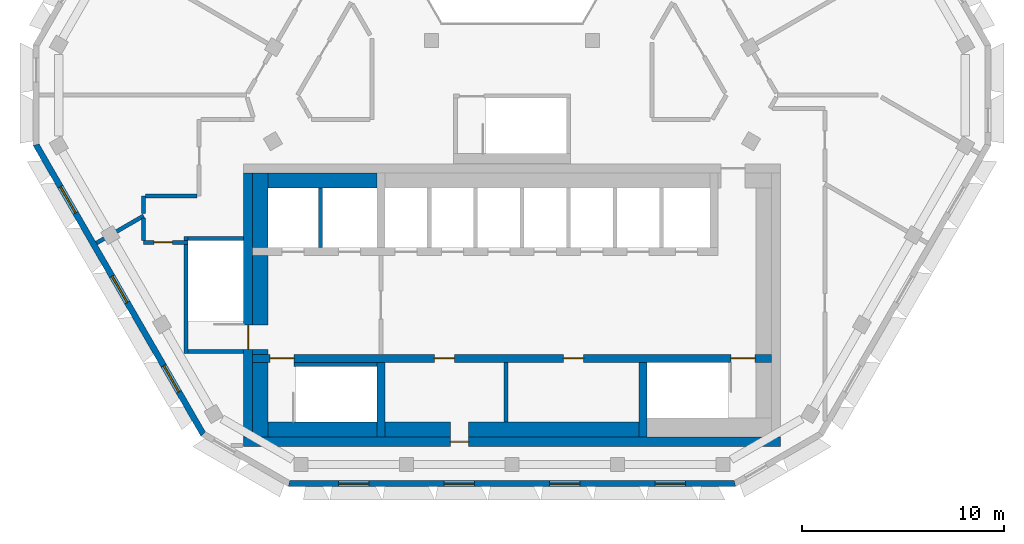
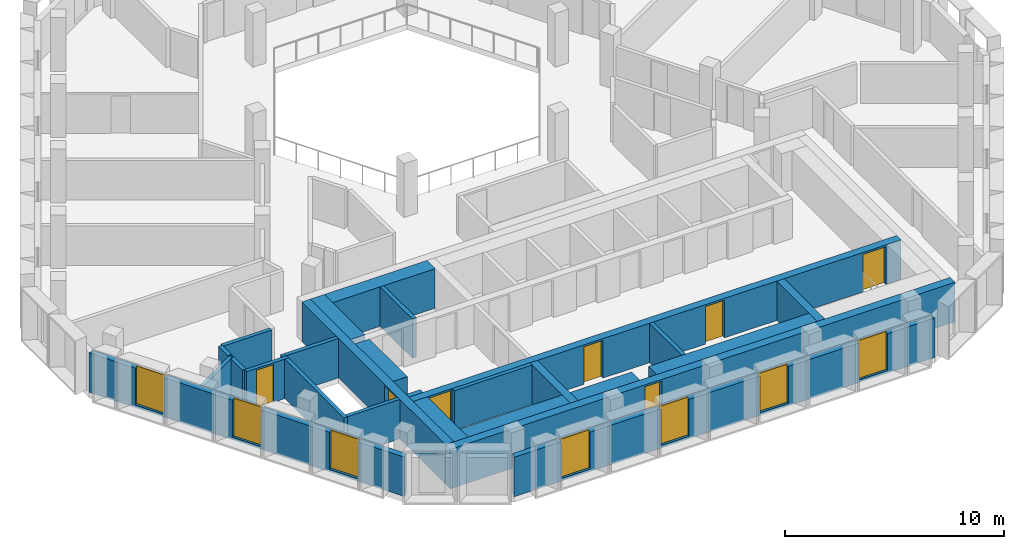
# One storey, part 2 of 7: 26 walls, 7 doors, 7 windows, 14 openings.
"""IFC4 building model written with IfcOpenShell, lengths in metres."""

from ifc_helpers import new_model, si_unit, direction, frame, frame_2d, origin, place, context, subcontext, project, spatial, polyline, rectangle, outline, extrude, material, layer, layer_set, type_object, element, fill, save


model = new_model("IFC4")

# Units and contexts
model_context = context("Model", 3, precision=1e-05, world=origin(), true_north=direction((0.0, 1.0)))
body_context = subcontext(model_context, "Body", "Model", "MODEL_VIEW")
ifc_project = project(units=[si_unit("LENGTHUNIT", "METRE"), si_unit("AREAUNIT", "SQUARE_METRE"), si_unit("VOLUMEUNIT", "CUBIC_METRE"), si_unit("PLANEANGLEUNIT", "RADIAN"), si_unit("MASSUNIT", "GRAM", prefix="KILO")], contexts=[model_context])

# Site, building, storey
site_placement = place(None, origin())
site = spatial("IfcSite", under=ifc_project, at=site_placement, CompositionType="ELEMENT")
building_placement = place(site_placement, origin())
building = spatial("IfcBuilding", under=site, at=building_placement, Name="Beryl Residences", CompositionType="ELEMENT")
storey_placement = place(building_placement, frame((0.0, 0.0, 241.800048828125)))
storey = spatial("IfcBuildingStorey", under=building, at=storey_placement, Name="L75", CompositionType="ELEMENT", Elevation=241.800048828125)

# Wall, openings, windows
ifc_material_1 = material(Name="Composite metal panel with mineral wool insulation")
ifc_layer_1 = layer(ifc_material_1, 0.300048828125)
ifc_layer_set_1 = layer_set([ifc_layer_1], Name="ES1 pale metal composite panel wall 300 mm")
wall_type_1 = type_object("IfcWallType", Name="ES1 pale metal composite panel wall 300 mm", PredefinedType="SOLIDWALL", material=ifc_layer_set_1)
wall_1_placement = place(storey_placement, frame((-23.59912109375, -4.02490234375, 0.0), z_axis=(0.0, 0.0, 1.0), x_axis=(0.500012653391, -0.866018098222, 0.0)))
wall_1 = element("IfcWall", 1, at=wall_1_placement, inside=storey, type_object=wall_type_1, Name="ES1 external wall L75 SW", PredefinedType="SOLIDWALL", context=body_context, shape_type="SweptSolid", body=[
    extrude(outline(polyline([(0.0, -0.14990234375), (16.6279296875, -0.14990234375), (16.547607421875, 0.14990234375), (0.080322265625, 0.14990234375), (0.0, -0.14990234375)])), origin(), (0.0, 0.0, 1.0), 2.199951171875),
])
opening_1_placement = place(wall_1_placement, frame((2.444091796875, 0.0, 0.14990234375)))
opening_1 = element("IfcOpeningElement", 2, at=opening_1_placement, cuts=wall_1, Name="Opening W1", PredefinedType="OPENING", context=body_context, shape_type="SweptSolid", body=[
    extrude(rectangle(XDim=1.5, YDim=2.10009765625, at=frame_2d((0.75, 1.050048828125))), frame((0.0, 0.159912109375, 0.0), z_axis=(0.0, -1.0, 0.0), x_axis=(1.0, 0.0, 0.0)), (0.0, 0.0, 1.0), 0.320068359375),
])
opening_2_placement = place(wall_1_placement, frame((7.56396484375, 0.0, 0.14990234375)))
opening_2 = element("IfcOpeningElement", 3, at=opening_2_placement, cuts=wall_1, Name="Opening W1", PredefinedType="OPENING", context=body_context, shape_type="SweptSolid", body=[
    extrude(rectangle(XDim=1.5, YDim=2.10009765625, at=frame_2d((0.75, 1.050048828125))), frame((0.0, 0.159912109375, 0.0), z_axis=(0.0, -1.0, 0.0), x_axis=(1.0, 0.0, 0.0)), (0.0, 0.0, 1.0), 0.320068359375),
])
opening_3_placement = place(wall_1_placement, frame((12.681884765625, 0.0, 0.14990234375)))
opening_3 = element("IfcOpeningElement", 4, at=opening_3_placement, cuts=wall_1, Name="Opening W1", PredefinedType="OPENING", context=body_context, shape_type="SweptSolid", body=[
    extrude(rectangle(XDim=1.5, YDim=2.10009765625, at=frame_2d((0.75, 1.050048828125))), frame((0.0, 0.159912109375, 0.0), z_axis=(0.0, -1.0, 0.0), x_axis=(1.0, 0.0, 0.0)), (0.0, 0.0, 1.0), 0.320068359375),
])
ifc_material_2 = material(Name="Aluminium and clear glass", Category="aluminium")
window_type = type_object("IfcWindowType", Name="W1 cell window 1500 x 2100 mm", PartitioningType="SINGLE_PANEL", PredefinedType="WINDOW", material=ifc_material_2)
window_1_placement = place(opening_1_placement, origin())
window_1 = element("IfcWindow", 5, at=window_1_placement, inside=storey, type_object=window_type, Name="W1 window L75 SW 2", OverallHeight=2.10009765625, OverallWidth=1.5, PartitioningType="SINGLE_PANEL", PredefinedType="WINDOW", context=body_context, shape_type="SweptSolid", body=[
    extrude(rectangle(XDim=1.5, YDim=2.10009765625, at=frame_2d((0.75, 1.050048828125))), frame((0.0, 0.030029296875, 0.0), z_axis=(0.0, -1.0, 0.0), x_axis=(1.0, 0.0, 0.0)), (0.0, 0.0, 1.0), 0.06005859375),
])
fill(opening_1, window_1)
window_2_placement = place(opening_2_placement, origin())
window_2 = element("IfcWindow", 6, at=window_2_placement, inside=storey, type_object=window_type, Name="W1 window L75 SW 4", OverallHeight=2.10009765625, OverallWidth=1.5, PartitioningType="SINGLE_PANEL", PredefinedType="WINDOW", context=body_context, shape_type="SweptSolid", body=[
    extrude(rectangle(XDim=1.5, YDim=2.10009765625, at=frame_2d((0.75, 1.050048828125))), frame((0.0, 0.030029296875, 0.0), z_axis=(0.0, -1.0, 0.0), x_axis=(1.0, 0.0, 0.0)), (0.0, 0.0, 1.0), 0.06005859375),
])
fill(opening_2, window_2)
window_3_placement = place(opening_3_placement, origin())
window_3 = element("IfcWindow", 7, at=window_3_placement, inside=storey, type_object=window_type, Name="W1 window L75 SW 6", OverallHeight=2.10009765625, OverallWidth=1.5, PartitioningType="SINGLE_PANEL", PredefinedType="WINDOW", context=body_context, shape_type="SweptSolid", body=[
    extrude(rectangle(XDim=1.5, YDim=2.10009765625, at=frame_2d((0.75, 1.050048828125))), frame((0.0, 0.030029296875, 0.0), z_axis=(0.0, -1.0, 0.0), x_axis=(1.0, 0.0, 0.0)), (0.0, 0.0, 1.0), 0.06005859375),
])
fill(opening_3, window_3)

wall_2_placement = place(storey_placement, frame((-11.0849609375, -20.85009765625, 0.0), z_axis=(0.0, 0.0, 1.0), x_axis=(1.0, 0.0, 0.0)))
wall_2 = element("IfcWall", 8, at=wall_2_placement, inside=storey, type_object=wall_type_1, Name="ES1 external wall L75 S", PredefinedType="SOLIDWALL", context=body_context, shape_type="SweptSolid", body=[
    extrude(outline(polyline([(0.0, -0.14990234375), (22.169921875, -0.14990234375), (22.089599609375, 0.14990234375), (0.080322265625, 0.14990234375), (0.0, -0.14990234375)])), origin(), (0.0, 0.0, 1.0), 2.199951171875),
])
opening_4_placement = place(wall_2_placement, frame((2.498046875, 0.0, 0.14990234375)))
opening_4 = element("IfcOpeningElement", 9, at=opening_4_placement, cuts=wall_2, Name="Opening W1", PredefinedType="OPENING", context=body_context, shape_type="SweptSolid", body=[
    extrude(rectangle(XDim=1.5, YDim=2.10009765625, at=frame_2d((0.75, 1.050048828125))), frame((0.0, 0.159912109375, 0.0), z_axis=(0.0, -1.0, 0.0), x_axis=(1.0, 0.0, 0.0)), (0.0, 0.0, 1.0), 0.320068359375),
])
opening_5_placement = place(wall_2_placement, frame((7.722900390625, 0.0, 0.14990234375)))
opening_5 = element("IfcOpeningElement", 10, at=opening_5_placement, cuts=wall_2, Name="Opening W1", PredefinedType="OPENING", context=body_context, shape_type="SweptSolid", body=[
    extrude(rectangle(XDim=1.5, YDim=2.10009765625, at=frame_2d((0.75, 1.050048828125))), frame((0.0, 0.159912109375, 0.0), z_axis=(0.0, -1.0, 0.0), x_axis=(1.0, 0.0, 0.0)), (0.0, 0.0, 1.0), 0.320068359375),
])
opening_6_placement = place(wall_2_placement, frame((12.947021484375, 0.0, 0.14990234375)))
opening_6 = element("IfcOpeningElement", 11, at=opening_6_placement, cuts=wall_2, Name="Opening W1", PredefinedType="OPENING", context=body_context, shape_type="SweptSolid", body=[
    extrude(rectangle(XDim=1.5, YDim=2.10009765625, at=frame_2d((0.75, 1.050048828125))), frame((0.0, 0.159912109375, 0.0), z_axis=(0.0, -1.0, 0.0), x_axis=(1.0, 0.0, 0.0)), (0.0, 0.0, 1.0), 0.320068359375),
])
opening_7_placement = place(wall_2_placement, frame((18.172119140625, 0.0, 0.14990234375)))
opening_7 = element("IfcOpeningElement", 12, at=opening_7_placement, cuts=wall_2, Name="Opening W1", PredefinedType="OPENING", context=body_context, shape_type="SweptSolid", body=[
    extrude(rectangle(XDim=1.5, YDim=2.10009765625, at=frame_2d((0.75, 1.050048828125))), frame((0.0, 0.159912109375, 0.0), z_axis=(0.0, -1.0, 0.0), x_axis=(1.0, 0.0, 0.0)), (0.0, 0.0, 1.0), 0.320068359375),
])
window_4_placement = place(opening_4_placement, origin())
window_4 = element("IfcWindow", 13, at=window_4_placement, inside=storey, type_object=window_type, Name="W1 window L75 S 2", OverallHeight=2.10009765625, OverallWidth=1.5, PartitioningType="SINGLE_PANEL", PredefinedType="WINDOW", context=body_context, shape_type="SweptSolid", body=[
    extrude(rectangle(XDim=1.5, YDim=2.10009765625, at=frame_2d((0.75, 1.050048828125))), frame((0.0, 0.030029296875, 0.0), z_axis=(0.0, -1.0, 0.0), x_axis=(1.0, 0.0, 0.0)), (0.0, 0.0, 1.0), 0.06005859375),
])
fill(opening_4, window_4)
window_5_placement = place(opening_5_placement, origin())
window_5 = element("IfcWindow", 14, at=window_5_placement, inside=storey, type_object=window_type, Name="W1 window L75 S 4", OverallHeight=2.10009765625, OverallWidth=1.5, PartitioningType="SINGLE_PANEL", PredefinedType="WINDOW", context=body_context, shape_type="SweptSolid", body=[
    extrude(rectangle(XDim=1.5, YDim=2.10009765625, at=frame_2d((0.75, 1.050048828125))), frame((0.0, 0.030029296875, 0.0), z_axis=(0.0, -1.0, 0.0), x_axis=(1.0, 0.0, 0.0)), (0.0, 0.0, 1.0), 0.06005859375),
])
fill(opening_5, window_5)
window_6_placement = place(opening_6_placement, origin())
window_6 = element("IfcWindow", 15, at=window_6_placement, inside=storey, type_object=window_type, Name="W1 window L75 S 6", OverallHeight=2.10009765625, OverallWidth=1.5, PartitioningType="SINGLE_PANEL", PredefinedType="WINDOW", context=body_context, shape_type="SweptSolid", body=[
    extrude(rectangle(XDim=1.5, YDim=2.10009765625, at=frame_2d((0.75, 1.050048828125))), frame((0.0, 0.030029296875, 0.0), z_axis=(0.0, -1.0, 0.0), x_axis=(1.0, 0.0, 0.0)), (0.0, 0.0, 1.0), 0.06005859375),
])
fill(opening_6, window_6)
window_7_placement = place(opening_7_placement, origin())
window_7 = element("IfcWindow", 16, at=window_7_placement, inside=storey, type_object=window_type, Name="W1 window L75 S 8", OverallHeight=2.10009765625, OverallWidth=1.5, PartitioningType="SINGLE_PANEL", PredefinedType="WINDOW", context=body_context, shape_type="SweptSolid", body=[
    extrude(rectangle(XDim=1.5, YDim=2.10009765625, at=frame_2d((0.75, 1.050048828125))), frame((0.0, 0.030029296875, 0.0), z_axis=(0.0, -1.0, 0.0), x_axis=(1.0, 0.0, 0.0)), (0.0, 0.0, 1.0), 0.06005859375),
])
fill(opening_7, window_7)

# Walls
ifc_material_3 = material(Name="Concrete masonry", Category="masonry")
ifc_layer_2 = layer(ifc_material_3, 0.25)
ifc_layer_set_2 = layer_set([ifc_layer_2], Name="PT13-250 lobby wall 250 mm")
wall_type_2 = type_object("IfcWallType", Name="PT13-250 lobby wall 250 mm", PredefinedType="PARTITIONING", material=ifc_layer_set_2)
wall_3_placement = place(storey_placement, frame((-12.85009765625, -14.324951171875, 0.0), z_axis=(0.0, 0.0, 1.0), x_axis=(1.0, 0.0, 0.0)))
element("IfcWall", 17, at=wall_3_placement, inside=storey, type_object=wall_type_2, Name="Lobby wall 05", PredefinedType="PARTITIONING", context=body_context, shape_type="SweptSolid", body=[
    extrude(rectangle(XDim=0.75, YDim=0.25, at=frame_2d((0.375, 0.0))), origin(), (0.0, 0.0, 1.0), 2.199951171875),
])
ifc_material_4 = material(Name="Concrete masonry", Category="masonry")
ifc_layer_3 = layer(ifc_material_4, 0.75)
ifc_layer_set_3 = layer_set([ifc_layer_3], Name="PT13-750 lobby wall 750 mm")
wall_type_3 = type_object("IfcWallType", Name="PT13-750 lobby wall 750 mm", PredefinedType="PARTITIONING", material=ifc_layer_set_3)
wall_4_placement = place(storey_placement, frame((-12.47509765625, -13.0, 0.0), z_axis=(0.0, 0.0, 1.0), x_axis=(0.0, 1.0, 0.0)))
element("IfcWall", 18, at=wall_4_placement, inside=storey, type_object=wall_type_3, Name="Lobby wall 06", PredefinedType="PARTITIONING", context=body_context, shape_type="SweptSolid", body=[
    extrude(rectangle(XDim=3.449951171875, YDim=0.75, at=frame_2d((1.72509765625, 0.0))), origin(), (0.0, 0.0, 1.0), 2.199951171875),
])
ifc_material_5 = material(Name="Acoustic double stud gypsum board wall")
ifc_layer_4 = layer(ifc_material_5, 0.199951171875)
ifc_layer_set_4 = layer_set([ifc_layer_4], Name="PT3 party wall 200 mm acoustic double stud")
wall_type_4 = type_object("IfcWallType", Name="PT3 party wall 200 mm acoustic double stud", PredefinedType="PARTITIONING", material=ifc_layer_set_4)
wall_5_placement = place(storey_placement, frame((-20.592041015625, -8.93310546875, 0.0), z_axis=(0.0, 0.0, 1.0), x_axis=(0.866045775131, 0.499964714133, 0.0)))
element("IfcWall", 19, at=wall_5_placement, inside=storey, type_object=wall_type_4, Name="Wall PT3 L75 017", PredefinedType="PARTITIONING", context=body_context, shape_type="SweptSolid", body=[
    extrude(rectangle(XDim=2.704345703125, YDim=0.199951171875, at=frame_2d((1.35205078125, 0.0))), origin(), (0.0, 0.0, 1.0), 2.199951171875),
])
ifc_material_6 = material(Name="Double stud gypsum board wall")
ifc_layer_5 = layer(ifc_material_6, 0.199951171875)
ifc_layer_set_5 = layer_set([ifc_layer_5], Name="PT4 corridor wall 200 mm double stud")
wall_type_5 = type_object("IfcWallType", Name="PT4 corridor wall 200 mm double stud", PredefinedType="PARTITIONING", material=ifc_layer_set_5)
wall_6_placement = place(storey_placement, frame((-18.25, -7.696044921875, 0.0), z_axis=(0.0, 0.0, 1.0), x_axis=(0.0, -1.0, 0.0)))
element("IfcWall", 20, at=wall_6_placement, inside=storey, type_object=wall_type_5, Name="Wall PT4 L75 009", PredefinedType="PARTITIONING", context=body_context, shape_type="SweptSolid", body=[
    extrude(rectangle(XDim=1.10302734375, YDim=0.199951171875, at=frame_2d((0.551513671875, 0.0))), origin(), (0.0, 0.0, 1.0), 2.199951171875),
])
wall_7_placement = place(storey_placement, frame((-18.14892578125, -6.60009765625, 0.0), z_axis=(0.0, 0.0, 1.0), x_axis=(1.0, 0.0, 0.0)))
element("IfcWall", 21, at=wall_7_placement, inside=storey, type_object=wall_type_5, Name="Wall PT4 L75 012", PredefinedType="PARTITIONING", context=body_context, shape_type="SweptSolid", body=[
    extrude(rectangle(XDim=2.5478515625, YDim=0.199951171875, at=frame_2d((1.27392578125, 0.0))), origin(), (0.0, 0.0, 1.0), 2.199951171875),
])

# Wall, opening, door
wall_8_placement = place(storey_placement, frame((-18.2490234375, -8.89990234375, 0.0), z_axis=(0.0, 0.0, 1.0), x_axis=(1.0, 0.0, 0.0)))
wall_8 = element("IfcWall", 22, at=wall_8_placement, inside=storey, type_object=wall_type_5, Name="Wall PT4 L75 013", PredefinedType="PARTITIONING", context=body_context, shape_type="SweptSolid", body=[
    extrude(rectangle(XDim=2.198974609375, YDim=0.199951171875, at=frame_2d((1.099609375, 0.0))), origin(), (0.0, 0.0, 1.0), 2.199951171875),
])
opening_8_placement = place(wall_8_placement, frame((0.51904296875, 0.0, 0.0)))
opening_8 = element("IfcOpeningElement", 23, at=opening_8_placement, cuts=wall_8, Name="Opening D2307", PredefinedType="OPENING", context=body_context, shape_type="SweptSolid", body=[
    extrude(rectangle(XDim=0.89990234375, YDim=2.10009765625, at=frame_2d((0.449951171875, 1.050048828125))), frame((0.0, 0.10986328125, 0.0), z_axis=(0.0, -1.0, 0.0), x_axis=(1.0, 0.0, 0.0)), (0.0, 0.0, 1.0), 0.219970703125),
])
ifc_material_7 = material(Name="Timber door leaf", Category="wood")
door_type_1 = type_object("IfcDoorType", Name="D2 room door 900 x 2100 mm", OperationType="SINGLE_SWING_LEFT", PredefinedType="DOOR", material=ifc_material_7)
door_1_placement = place(opening_8_placement, origin())
door_1 = element("IfcDoor", 24, at=door_1_placement, inside=storey, type_object=door_type_1, Name="Door D2307 L75 001", OperationType="SINGLE_SWING_LEFT", OverallHeight=2.10009765625, OverallWidth=0.89990234375, PredefinedType="DOOR", context=body_context, shape_type="SweptSolid", body=[
    extrude(rectangle(XDim=0.89990234375, YDim=2.10009765625, at=frame_2d((0.449951171875, 1.050048828125))), frame((0.0, 0.02490234375, 0.0), z_axis=(0.0, -1.0, 0.0), x_axis=(1.0, 0.0, 0.0)), (0.0, 0.0, 1.0), 0.050048828125),
])
fill(opening_8, door_1)

# Walls
wall_9_placement = place(storey_placement, frame((-18.25, -7.465087890625, 0.0), z_axis=(0.0, 0.0, 1.0), x_axis=(0.0, 1.0, 0.0)))
element("IfcWall", 25, at=wall_9_placement, inside=storey, type_object=wall_type_5, Name="Wall PT4 L75 031", PredefinedType="PARTITIONING", context=body_context, shape_type="SweptSolid", body=[
    extrude(rectangle(XDim=0.864013671875, YDim=0.199951171875, at=frame_2d((0.43212890625, 0.0))), origin(), (0.0, 0.0, 1.0), 2.199951171875),
])
ifc_material_8 = material(Name="Concrete C40/50", Category="concrete")
ifc_layer_6 = layer(ifc_material_8, 0.199951171875)
ifc_layer_set_6 = layer_set([ifc_layer_6], Name="PT5 stair enclosure wall 200 mm reinforced concrete C40/50")
wall_type_6 = type_object("IfcWallType", Name="PT5 stair enclosure wall 200 mm reinforced concrete C40/50", PredefinedType="SOLIDWALL", material=ifc_layer_set_6)
wall_10_placement = place(storey_placement, frame((-16.14990234375, -14.39990234375, 0.0), z_axis=(0.0, 0.0, 1.0), x_axis=(0.0, 1.0, 0.0)))
element("IfcWall", 26, at=wall_10_placement, inside=storey, type_object=wall_type_6, Name="Stair wall 01", PredefinedType="SOLIDWALL", context=body_context, shape_type="SweptSolid", body=[
    extrude(rectangle(XDim=5.7998046875, YDim=0.199951171875, at=frame_2d((2.89990234375, 0.0))), origin(), (0.0, 0.0, 1.0), 2.199951171875),
])
for number, where, z_axis, x_axis, name in (
    (27, (-16.050048828125, -14.300048828125, 0.0), (0.0, 0.0, 1.0), (1.0, 0.0, 0.0), "Stair wall 02"),
    (28, (-16.050048828125, -8.699951171875, 0.0), (0.0, 0.0, 1.0), (1.0, 0.0, 0.0), "Stair wall 03"),
):
    element("IfcWall", number, at=place(storey_placement, frame(where, z_axis=z_axis, x_axis=x_axis)), inside=storey, type_object=wall_type_6, Name=name, PredefinedType="SOLIDWALL", context=body_context, shape_type="SweptSolid", body=[
        extrude(rectangle(XDim=2.75, YDim=0.199951171875, at=frame_2d((1.375, 0.0))), origin(), (0.0, 0.0, 1.0), 2.199951171875),
    ])
wall_11_placement = place(storey_placement, frame((-10.800048828125, -14.949951171875, 0.0), z_axis=(0.0, 0.0, 1.0), x_axis=(1.0, 0.0, 0.0)))
element("IfcWall", 29, at=wall_11_placement, inside=storey, type_object=wall_type_6, Name="Stair wall 10", PredefinedType="SOLIDWALL", context=body_context, shape_type="SweptSolid", body=[
    extrude(rectangle(XDim=4.10009765625, YDim=0.199951171875, at=frame_2d((2.050048828125, 0.0))), origin(), (0.0, 0.0, 1.0), 2.199951171875),
])
ifc_material_9 = material(Name="Concrete C40/50", Category="concrete")
ifc_layer_7 = layer(ifc_material_9, 0.75)
ifc_layer_set_7 = layer_set([ifc_layer_7], Name="PT5-750 stair enclosure wall 750 mm")
wall_type_7 = type_object("IfcWallType", Name="PT5-750 stair enclosure wall 750 mm", PredefinedType="SOLIDWALL", material=ifc_layer_set_7)
wall_12_placement = place(storey_placement, frame((-12.47509765625, -18.550048828125, 0.0), z_axis=(0.0, 0.0, 1.0), x_axis=(0.0, 1.0, 0.0)))
element("IfcWall", 30, at=wall_12_placement, inside=storey, type_object=wall_type_7, Name="Stair wall 04", PredefinedType="SOLIDWALL", context=body_context, shape_type="SweptSolid", body=[
    extrude(rectangle(XDim=3.699951171875, YDim=0.75, at=frame_2d((1.85009765625, 0.0))), origin(), (0.0, 0.0, 1.0), 2.199951171875),
])
wall_13_placement = place(storey_placement, frame((-12.10009765625, -18.175048828125, 0.0), z_axis=(0.0, 0.0, 1.0), x_axis=(1.0, 0.0, 0.0)))
element("IfcWall", 31, at=wall_13_placement, inside=storey, type_object=wall_type_7, Name="Stair wall 08", PredefinedType="SOLIDWALL", context=body_context, shape_type="SweptSolid", body=[
    extrude(rectangle(XDim=5.400146484375, YDim=0.75, at=frame_2d((2.7001953125, 0.0))), origin(), (0.0, 0.0, 1.0), 2.199951171875),
])
ifc_material_10 = material(Name="Concrete C40/50", Category="concrete")
ifc_layer_8 = layer(ifc_material_10, 0.199951171875)
ifc_layer_set_8 = layer_set([ifc_layer_8], Name="PT6 lift shaft wall 200 mm reinforced concrete C40/50")
wall_type_8 = type_object("IfcWallType", Name="PT6 lift shaft wall 200 mm reinforced concrete C40/50", PredefinedType="SOLIDWALL", material=ifc_layer_set_8)
wall_14_placement = place(storey_placement, frame((-9.5, -9.14990234375, 0.0), z_axis=(0.0, 0.0, 1.0), x_axis=(0.0, 1.0, 0.0)))
element("IfcWall", 32, at=wall_14_placement, inside=storey, type_object=wall_type_8, Name="Lift shaft wall 11", PredefinedType="SOLIDWALL", context=body_context, shape_type="SweptSolid", body=[
    extrude(rectangle(XDim=2.949951171875, YDim=0.199951171875, at=frame_2d((1.47509765625, 0.0))), origin(), (0.0, 0.0, 1.0), 2.199951171875),
])
ifc_material_11 = material(Name="Concrete C40/50", Category="concrete")
ifc_layer_9 = layer(ifc_material_11, 0.75)
ifc_layer_set_9 = layer_set([ifc_layer_9], Name="PT6-750 lift shaft wall 750 mm")
wall_type_9 = type_object("IfcWallType", Name="PT6-750 lift shaft wall 750 mm", PredefinedType="SOLIDWALL", material=ifc_layer_set_9)
wall_15_placement = place(storey_placement, frame((-12.47509765625, -9.14990234375, 0.0), z_axis=(0.0, 0.0, 1.0), x_axis=(0.0, 1.0, 0.0)))
element("IfcWall", 33, at=wall_15_placement, inside=storey, type_object=wall_type_9, Name="Lift shaft wall 07", PredefinedType="SOLIDWALL", context=body_context, shape_type="SweptSolid", body=[
    extrude(rectangle(XDim=3.699951171875, YDim=0.75, at=frame_2d((1.85009765625, 0.0))), origin(), (0.0, 0.0, 1.0), 2.199951171875),
])
wall_16_placement = place(storey_placement, frame((-12.10009765625, -5.824951171875, 0.0), z_axis=(0.0, 0.0, 1.0), x_axis=(1.0, 0.0, 0.0)))
element("IfcWall", 34, at=wall_16_placement, inside=storey, type_object=wall_type_9, Name="Lift shaft wall 09", PredefinedType="SOLIDWALL", context=body_context, shape_type="SweptSolid", body=[
    extrude(rectangle(XDim=5.400146484375, YDim=0.75, at=frame_2d((2.7001953125, 0.0))), origin(), (0.0, 0.0, 1.0), 2.199951171875),
])
ifc_material_12 = material(Name="Concrete masonry", Category="masonry")
ifc_layer_10 = layer(ifc_material_12, 0.199951171875)
ifc_layer_set_10 = layer_set([ifc_layer_10], Name="PT8-200 service room wall 200 mm")
wall_type_10 = type_object("IfcWallType", Name="PT8-200 service room wall 200 mm", PredefinedType="PARTITIONING", material=ifc_layer_set_10)
wall_17_placement = place(storey_placement, frame((-0.300048828125, -17.800048828125, 0.0), z_axis=(0.0, 0.0, 1.0), x_axis=(0.0, 1.0, 0.0)))
element("IfcWall", 35, at=wall_17_placement, inside=storey, type_object=wall_type_10, Name="Core room wall 18", PredefinedType="PARTITIONING", context=body_context, shape_type="SweptSolid", body=[
    extrude(rectangle(XDim=2.949951171875, YDim=0.199951171875, at=frame_2d((1.47509765625, 0.0))), origin(), (0.0, 0.0, 1.0), 2.199951171875),
])
ifc_material_13 = material(Name="Concrete masonry", Category="masonry")
ifc_layer_11 = layer(ifc_material_13, 0.75)
ifc_layer_set_11 = layer_set([ifc_layer_11], Name="PT8-750 service room wall 750 mm")
wall_type_11 = type_object("IfcWallType", Name="PT8-750 service room wall 750 mm", PredefinedType="PARTITIONING", material=ifc_layer_set_11)
wall_18_placement = place(storey_placement, frame((-6.300048828125, -18.175048828125, 0.0), z_axis=(0.0, 0.0, 1.0), x_axis=(1.0, 0.0, 0.0)))
element("IfcWall", 36, at=wall_18_placement, inside=storey, type_object=wall_type_11, Name="Core room wall 13", PredefinedType="PARTITIONING", context=body_context, shape_type="SweptSolid", body=[
    extrude(rectangle(XDim=3.25, YDim=0.75, at=frame_2d((1.625, 0.0))), origin(), (0.0, 0.0, 1.0), 2.199951171875),
])
wall_19_placement = place(storey_placement, frame((-2.14990234375, -18.175048828125, 0.0), z_axis=(0.0, 0.0, 1.0), x_axis=(1.0, 0.0, 0.0)))
element("IfcWall", 37, at=wall_19_placement, inside=storey, type_object=wall_type_11, Name="Core room wall 16", PredefinedType="PARTITIONING", context=body_context, shape_type="SweptSolid", body=[
    extrude(rectangle(XDim=8.449951171875, YDim=0.75, at=frame_2d((4.22509765625, 0.0))), origin(), (0.0, 0.0, 1.0), 2.199951171875),
])

# Wall, openings, doors
ifc_material_14 = material(Name="Concrete C50/60", Category="concrete")
ifc_layer_12 = layer(ifc_material_14, 0.39990234375)
ifc_layer_set_12 = layer_set([ifc_layer_12], Name="SW10 core internal wall 400 mm C50/60")
wall_type_12 = type_object("IfcWallType", Name="SW10 core internal wall 400 mm C50/60", PredefinedType="SHEAR", material=ifc_layer_set_12)
wall_20_placement = place(storey_placement, frame((-12.85009765625, -14.64990234375, 0.0), z_axis=(0.0, 0.0, 1.0), x_axis=(1.0, 0.0, 0.0)))
wall_20 = element("IfcWall", 38, at=wall_20_placement, inside=storey, type_object=wall_type_12, Name="Core wall SP1 L75", PredefinedType="SHEAR", context=body_context, shape_type="SweptSolid", body=[
    extrude(rectangle(XDim=25.7001953125, YDim=0.39990234375, at=frame_2d((12.85009765625, 0.0))), origin(), (0.0, 0.0, 1.0), 2.199951171875),
])
opening_9_placement = place(wall_20_placement, frame((2.050048828125, 0.0, 0.0), z_axis=(0.0, 0.0, 1.0), x_axis=(-1.0, 0.0, 0.0)))
opening_9 = element("IfcOpeningElement", 39, at=opening_9_placement, cuts=wall_20, Name="Opening SD-1", PredefinedType="OPENING", context=body_context, shape_type="SweptSolid", body=[
    extrude(rectangle(XDim=1.199951171875, YDim=2.10009765625, at=frame_2d((0.60009765625, 1.050048828125))), frame((0.0, 0.2099609375, 0.0), z_axis=(0.0, -1.0, 0.0), x_axis=(1.0, 0.0, 0.0)), (0.0, 0.0, 1.0), 0.419921875),
])
opening_10_placement = place(wall_20_placement, frame((24.89990234375, 0.0, 0.0), z_axis=(0.0, 0.0, 1.0), x_axis=(-1.0, 0.0, 0.0)))
opening_10 = element("IfcOpeningElement", 40, at=opening_10_placement, cuts=wall_20, Name="Opening SD-3", PredefinedType="OPENING", context=body_context, shape_type="SweptSolid", body=[
    extrude(rectangle(XDim=1.199951171875, YDim=2.10009765625, at=frame_2d((0.60009765625, 1.050048828125))), frame((0.0, 0.2099609375, 0.0), z_axis=(0.0, -1.0, 0.0), x_axis=(1.0, 0.0, 0.0)), (0.0, 0.0, 1.0), 0.419921875),
])
opening_11_placement = place(wall_20_placement, frame((10.0, 0.0, 0.0), z_axis=(0.0, 0.0, 1.0), x_axis=(-1.0, 0.0, 0.0)))
opening_11 = element("IfcOpeningElement", 41, at=opening_11_placement, cuts=wall_20, Name="Opening CD-D-S1", PredefinedType="OPENING", context=body_context, shape_type="SweptSolid", body=[
    extrude(rectangle(XDim=1.0, YDim=2.10009765625, at=frame_2d((0.5, 1.050048828125))), frame((0.0, 0.2099609375, 0.0), z_axis=(0.0, -1.0, 0.0), x_axis=(1.0, 0.0, 0.0)), (0.0, 0.0, 1.0), 0.419921875),
])
opening_12_placement = place(wall_20_placement, frame((16.39990234375, 0.0, 0.0), z_axis=(0.0, 0.0, 1.0), x_axis=(-1.0, 0.0, 0.0)))
opening_12 = element("IfcOpeningElement", 42, at=opening_12_placement, cuts=wall_20, Name="Opening CD-D-S2", PredefinedType="OPENING", context=body_context, shape_type="SweptSolid", body=[
    extrude(rectangle(XDim=1.0, YDim=2.10009765625, at=frame_2d((0.5, 1.050048828125))), frame((0.0, 0.2099609375, 0.0), z_axis=(0.0, -1.0, 0.0), x_axis=(1.0, 0.0, 0.0)), (0.0, 0.0, 1.0), 0.419921875),
])
ifc_material_15 = material(Name="Steel door leaf in steel frame", Category="steel")
door_type_2 = type_object("IfcDoorType", Name="D18 service room door 1000 x 2100 mm", OperationType="SINGLE_SWING_LEFT", PredefinedType="DOOR", material=ifc_material_15)
door_2_placement = place(opening_11_placement, origin())
door_2 = element("IfcDoor", 43, at=door_2_placement, inside=storey, type_object=door_type_2, Name="Door CD-D-S1 L75 001", OperationType="SINGLE_SWING_RIGHT", OverallHeight=2.10009765625, OverallWidth=1.0, PredefinedType="DOOR", context=body_context, shape_type="SweptSolid", body=[
    extrude(rectangle(XDim=1.0, YDim=2.10009765625, at=frame_2d((0.5, 1.050048828125))), frame((0.0, 0.02490234375, 0.0), z_axis=(0.0, -1.0, 0.0), x_axis=(1.0, 0.0, 0.0)), (0.0, 0.0, 1.0), 0.050048828125),
])
fill(opening_11, door_2)
door_3_placement = place(opening_12_placement, origin())
door_3 = element("IfcDoor", 44, at=door_3_placement, inside=storey, type_object=door_type_2, Name="Door CD-D-S2 L75 001", OperationType="SINGLE_SWING_LEFT", OverallHeight=2.10009765625, OverallWidth=1.0, PredefinedType="DOOR", context=body_context, shape_type="SweptSolid", body=[
    extrude(rectangle(XDim=1.0, YDim=2.10009765625, at=frame_2d((0.5, 1.050048828125))), frame((0.0, 0.02490234375, 0.0), z_axis=(0.0, -1.0, 0.0), x_axis=(1.0, 0.0, 0.0)), (0.0, 0.0, 1.0), 0.050048828125),
])
fill(opening_12, door_3)
ifc_material_16 = material(Name="Steel door leaf in steel frame", Category="steel")
door_type_3 = type_object("IfcDoorType", Name="D4 stair door 1200 x 2100 mm", OperationType="SINGLE_SWING_LEFT", PredefinedType="DOOR", material=ifc_material_16)
door_4_placement = place(opening_9_placement, origin())
door_4 = element("IfcDoor", 45, at=door_4_placement, inside=storey, type_object=door_type_3, Name="Door SD-1 L75 001", OperationType="SINGLE_SWING_RIGHT", OverallHeight=2.10009765625, OverallWidth=1.199951171875, PredefinedType="DOOR", context=body_context, shape_type="SweptSolid", body=[
    extrude(rectangle(XDim=1.199951171875, YDim=2.10009765625, at=frame_2d((0.60009765625, 1.050048828125))), frame((0.0, 0.02490234375, 0.0), z_axis=(0.0, -1.0, 0.0), x_axis=(1.0, 0.0, 0.0)), (0.0, 0.0, 1.0), 0.050048828125),
])
fill(opening_9, door_4)
door_5_placement = place(opening_10_placement, origin())
door_5 = element("IfcDoor", 46, at=door_5_placement, inside=storey, type_object=door_type_3, Name="Door SD-3 L75 001", OperationType="SINGLE_SWING_RIGHT", OverallHeight=2.10009765625, OverallWidth=1.199951171875, PredefinedType="DOOR", context=body_context, shape_type="SweptSolid", body=[
    extrude(rectangle(XDim=1.199951171875, YDim=2.10009765625, at=frame_2d((0.60009765625, 1.050048828125))), frame((0.0, 0.02490234375, 0.0), z_axis=(0.0, -1.0, 0.0), x_axis=(1.0, 0.0, 0.0)), (0.0, 0.0, 1.0), 0.050048828125),
])
fill(opening_10, door_5)

# Walls
for number, where, z_axis, x_axis, name in (
    (47, (-6.5, -18.550048828125, 0.0), (0.0, 0.0, 1.0), (0.0, 1.0, 0.0), "Core wall XS1 L75"),
    (48, (6.5, -18.550048828125, 0.0), (0.0, 0.0, 1.0), (0.0, 1.0, 0.0), "Core wall XS2 L75"),
):
    element("IfcWall", number, at=place(storey_placement, frame(where, z_axis=z_axis, x_axis=x_axis)), inside=storey, type_object=wall_type_12, Name=name, PredefinedType="SHEAR", context=body_context, shape_type="SweptSolid", body=[
        extrude(rectangle(XDim=3.699951171875, YDim=0.39990234375, at=frame_2d((1.85009765625, 0.0))), origin(), (0.0, 0.0, 1.0), 2.199951171875),
    ])

# Wall, opening, door
ifc_material_17 = material(Name="Concrete C50/60", Category="concrete")
ifc_layer_13 = layer(ifc_material_17, 0.449951171875)
ifc_layer_set_13 = layer_set([ifc_layer_13], Name="SW5 core outer wall 450 mm C50/60")
wall_type_13 = type_object("IfcWallType", Name="SW5 core outer wall 450 mm C50/60", PredefinedType="SHEAR", material=ifc_layer_set_13)
wall_21_placement = place(storey_placement, frame((-13.300048828125, -18.77490234375, 0.0), z_axis=(0.0, 0.0, 1.0), x_axis=(1.0, 0.0, 0.0)))
wall_21 = element("IfcWall", 49, at=wall_21_placement, inside=storey, type_object=wall_type_13, Name="Core wall S L75", PredefinedType="SHEAR", context=body_context, shape_type="SweptSolid", body=[
    extrude(rectangle(XDim=26.60009765625, YDim=0.449951171875, at=frame_2d((13.300048828125, 0.0))), origin(), (0.0, 0.0, 1.0), 2.199951171875),
])
opening_13_placement = place(wall_21_placement, frame((10.25, 0.0, 0.0)))
opening_13 = element("IfcOpeningElement", 50, at=opening_13_placement, cuts=wall_21, Name="Opening RD-RS", PredefinedType="OPENING", context=body_context, shape_type="SweptSolid", body=[
    extrude(rectangle(XDim=0.89990234375, YDim=2.10009765625, at=frame_2d((0.449951171875, 1.050048828125))), frame((0.0, 0.23486328125, 0.0), z_axis=(0.0, -1.0, 0.0), x_axis=(1.0, 0.0, 0.0)), (0.0, 0.0, 1.0), 0.469970703125),
])
ifc_material_18 = material(Name="Steel door leaf in steel frame", Category="steel")
door_type_4 = type_object("IfcDoorType", Name="D23 riser door 900 x 2100 mm", OperationType="SINGLE_SWING_LEFT", PredefinedType="DOOR", material=ifc_material_18)
door_6_placement = place(opening_13_placement, origin())
door_6 = element("IfcDoor", 51, at=door_6_placement, inside=storey, type_object=door_type_4, Name="Door RD-RS L75 001", OperationType="SINGLE_SWING_RIGHT", OverallHeight=2.10009765625, OverallWidth=0.89990234375, PredefinedType="DOOR", context=body_context, shape_type="SweptSolid", body=[
    extrude(rectangle(XDim=0.89990234375, YDim=2.10009765625, at=frame_2d((0.449951171875, 1.050048828125))), frame((0.0, 0.02490234375, 0.0), z_axis=(0.0, -1.0, 0.0), x_axis=(1.0, 0.0, 0.0)), (0.0, 0.0, 1.0), 0.050048828125),
])
fill(opening_13, door_6)

wall_22_placement = place(storey_placement, frame((-13.074951171875, -18.550048828125, 0.0), z_axis=(0.0, 0.0, 1.0), x_axis=(0.0, 1.0, 0.0)))
wall_22 = element("IfcWall", 52, at=wall_22_placement, inside=storey, type_object=wall_type_13, Name="Core wall W L75", PredefinedType="SHEAR", context=body_context, shape_type="SweptSolid", body=[
    extrude(rectangle(XDim=13.10009765625, YDim=0.449951171875, at=frame_2d((6.550048828125, 0.0))), origin(), (0.0, 0.0, 1.0), 2.199951171875),
])
opening_14_placement = place(wall_22_placement, frame((4.35009765625, 0.0, 0.0)))
opening_14 = element("IfcOpeningElement", 53, at=opening_14_placement, cuts=wall_22, Name="Opening SD-2", PredefinedType="OPENING", context=body_context, shape_type="SweptSolid", body=[
    extrude(rectangle(XDim=1.199951171875, YDim=2.10009765625, at=frame_2d((0.60009765625, 1.050048828125))), frame((0.0, 0.23486328125, 0.0), z_axis=(0.0, -1.0, 0.0), x_axis=(1.0, 0.0, 0.0)), (0.0, 0.0, 1.0), 0.469970703125),
])
door_7_placement = place(opening_14_placement, origin())
door_7 = element("IfcDoor", 54, at=door_7_placement, inside=storey, type_object=door_type_3, Name="Door SD-2 L75 001", OperationType="SINGLE_SWING_RIGHT", OverallHeight=2.10009765625, OverallWidth=1.199951171875, PredefinedType="DOOR", context=body_context, shape_type="SweptSolid", body=[
    extrude(rectangle(XDim=1.199951171875, YDim=2.10009765625, at=frame_2d((0.60009765625, 1.050048828125))), frame((0.0, 0.02490234375, 0.0), z_axis=(0.0, -1.0, 0.0), x_axis=(1.0, 0.0, 0.0)), (0.0, 0.0, 1.0), 0.050048828125),
])
fill(opening_14, door_7)

save(model, "model.ifc")
